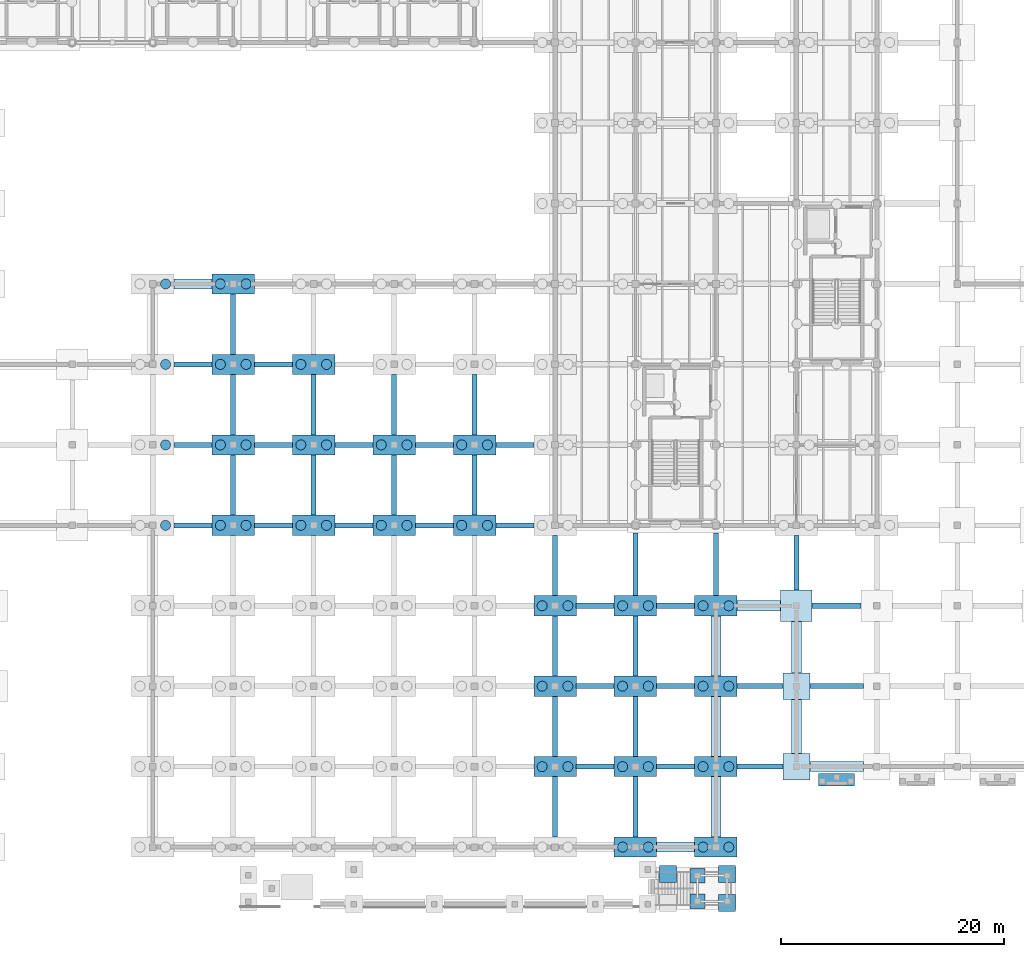
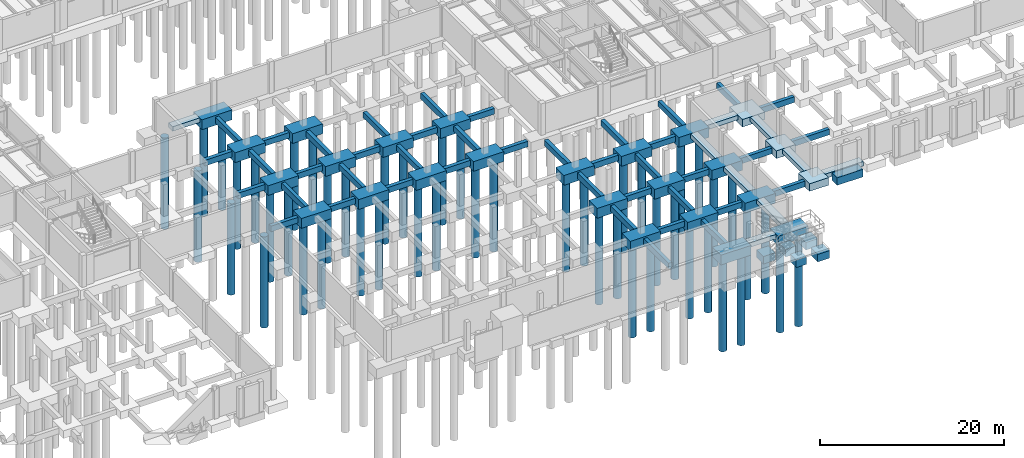
# One storey, part 4 of 46: 81 footings, 48 piles.
"""IFC4 building model written with IfcOpenShell, lengths in metres."""

from ifc_helpers import new_model, si_unit, direction, frame, origin, origin_2d, place, context, subcontext, project, spatial, rectangle, circle, extrude, material, material_profile, profile_set, type_object, element, save


model = new_model("IFC4")

# Units and contexts
model_context = context("Model", 3, precision=1e-05, world=origin(), true_north=direction((0.0, 1.0)))
body_context = subcontext(model_context, "Body", "Model", "MODEL_VIEW")
ifc_project = project(units=[si_unit("LENGTHUNIT", "METRE"), si_unit("AREAUNIT", "SQUARE_METRE"), si_unit("VOLUMEUNIT", "CUBIC_METRE"), si_unit("PLANEANGLEUNIT", "RADIAN"), si_unit("MASSUNIT", "GRAM", prefix="KILO")], contexts=[model_context])

# Site, building, storey
site_placement = place(None, origin())
site = spatial("IfcSite", under=ifc_project, at=site_placement, CompositionType="ELEMENT")
building_placement = place(site_placement, origin())
building = spatial("IfcBuilding", under=site, at=building_placement, Name="Sillqori Civic Hall", CompositionType="ELEMENT")
storey_placement = place(building_placement, frame((0.0, 0.0, -4.199951171875)))
storey = spatial("IfcBuildingStorey", under=building, at=storey_placement, Name="B01", CompositionType="ELEMENT", Elevation=-4.199951171875)

# Footings
ifc_material = material(Name="Concrete C35/45 (H35)", Category="concrete")
footing_type_1 = type_object("IfcFootingType", Name="FB-450X750", PredefinedType="FOOTING_BEAM", material=ifc_material)
for number, where, z_axis, x_axis, name in (
    (1, (68.39990234375, 36.0, -0.969970703125), (0.0, 0.0, 1.0), (1.0, 0.0, 0.0), "Seismic tie beam X 9-5"),
    (2, (68.39990234375, 43.199951171875, -0.969970703125), (0.0, 0.0, 1.0), (1.0, 0.0, 0.0), "Seismic tie beam X 9-6"),
    (3, (68.39990234375, 50.39990234375, -0.969970703125), (0.0, 0.0, 1.0), (1.0, 0.0, 0.0), "Seismic tie beam X 9-7"),
    (4, (75.60009765625, 36.0, -0.969970703125), (0.0, 0.0, 1.0), (1.0, 0.0, 0.0), "Seismic tie beam X 10-5"),
):
    element("IfcFooting", number, at=place(storey_placement, frame(where, z_axis=z_axis, x_axis=x_axis)), inside=storey, type_object=footing_type_1, Name=name, PredefinedType="FOOTING_BEAM", context=body_context, shape_type="SweptSolid", body=[
        extrude(rectangle(XDim=3.39990234375, YDim=0.449951171875, at=origin_2d()), origin(), (0.0, 0.0, 1.0), 0.75),
    ])
footing_1_placement = place(storey_placement, frame((72.0, 39.60009765625, -0.969970703125), z_axis=(0.0, 0.0, 1.0), x_axis=(1.0, 0.0, 0.0)))
element("IfcFooting", 5, at=footing_1_placement, inside=storey, type_object=footing_type_1, Name="Seismic tie beam Y 10-5", PredefinedType="FOOTING_BEAM", context=body_context, shape_type="SweptSolid", body=[
    extrude(rectangle(XDim=0.449951171875, YDim=5.39990234375, at=origin_2d()), origin(), (0.0, 0.0, 1.0), 0.75),
])
footing_2_placement = place(storey_placement, frame((75.60009765625, 43.199951171875, -0.969970703125), z_axis=(0.0, 0.0, 1.0), x_axis=(1.0, 0.0, 0.0)))
element("IfcFooting", 6, at=footing_2_placement, inside=storey, type_object=footing_type_1, Name="Seismic tie beam X 10-6", PredefinedType="FOOTING_BEAM", context=body_context, shape_type="SweptSolid", body=[
    extrude(rectangle(XDim=3.39990234375, YDim=0.449951171875, at=origin_2d()), origin(), (0.0, 0.0, 1.0), 0.75),
])
footing_3_placement = place(storey_placement, frame((72.0, 46.800048828125, -0.969970703125), z_axis=(0.0, 0.0, 1.0), x_axis=(1.0, 0.0, 0.0)))
element("IfcFooting", 7, at=footing_3_placement, inside=storey, type_object=footing_type_1, Name="Seismic tie beam Y 10-6", PredefinedType="FOOTING_BEAM", context=body_context, shape_type="SweptSolid", body=[
    extrude(rectangle(XDim=0.449951171875, YDim=5.39990234375, at=origin_2d()), origin(), (0.0, 0.0, 1.0), 0.75),
])
footing_4_placement = place(storey_placement, frame((75.60009765625, 50.39990234375, -0.969970703125), z_axis=(0.0, 0.0, 1.0), x_axis=(1.0, 0.0, 0.0)))
element("IfcFooting", 8, at=footing_4_placement, inside=storey, type_object=footing_type_1, Name="Seismic tie beam X 10-7", PredefinedType="FOOTING_BEAM", context=body_context, shape_type="SweptSolid", body=[
    extrude(rectangle(XDim=3.39990234375, YDim=0.449951171875, at=origin_2d()), origin(), (0.0, 0.0, 1.0), 0.75),
])
footing_5_placement = place(storey_placement, frame((72.0, 54.0, -0.969970703125), z_axis=(0.0, 0.0, 1.0), x_axis=(1.0, 0.0, 0.0)))
element("IfcFooting", 9, at=footing_5_placement, inside=storey, type_object=footing_type_1, Name="Seismic tie beam Y 10-7", PredefinedType="FOOTING_BEAM", context=body_context, shape_type="SweptSolid", body=[
    extrude(rectangle(XDim=0.449951171875, YDim=5.39990234375, at=origin_2d()), origin(), (0.0, 0.0, 1.0), 0.75),
])
footing_6_placement = place(storey_placement, frame((82.800048828125, 36.0, -0.969970703125), z_axis=(0.0, 0.0, 1.0), x_axis=(1.0, 0.0, 0.0)))
element("IfcFooting", 10, at=footing_6_placement, inside=storey, type_object=footing_type_1, Name="Seismic tie beam X 11-5", PredefinedType="FOOTING_BEAM", context=body_context, shape_type="SweptSolid", body=[
    extrude(rectangle(XDim=3.39990234375, YDim=0.449951171875, at=origin_2d()), origin(), (0.0, 0.0, 1.0), 0.75),
])
footing_7_placement = place(storey_placement, frame((79.199951171875, 39.60009765625, -0.969970703125), z_axis=(0.0, 0.0, 1.0), x_axis=(1.0, 0.0, 0.0)))
element("IfcFooting", 11, at=footing_7_placement, inside=storey, type_object=footing_type_1, Name="Seismic tie beam Y 11-5", PredefinedType="FOOTING_BEAM", context=body_context, shape_type="SweptSolid", body=[
    extrude(rectangle(XDim=0.449951171875, YDim=5.39990234375, at=origin_2d()), origin(), (0.0, 0.0, 1.0), 0.75),
])
footing_8_placement = place(storey_placement, frame((82.800048828125, 43.199951171875, -0.969970703125), z_axis=(0.0, 0.0, 1.0), x_axis=(1.0, 0.0, 0.0)))
element("IfcFooting", 12, at=footing_8_placement, inside=storey, type_object=footing_type_1, Name="Seismic tie beam X 11-6", PredefinedType="FOOTING_BEAM", context=body_context, shape_type="SweptSolid", body=[
    extrude(rectangle(XDim=3.39990234375, YDim=0.449951171875, at=origin_2d()), origin(), (0.0, 0.0, 1.0), 0.75),
])
footing_9_placement = place(storey_placement, frame((79.199951171875, 46.800048828125, -0.969970703125), z_axis=(0.0, 0.0, 1.0), x_axis=(1.0, 0.0, 0.0)))
element("IfcFooting", 13, at=footing_9_placement, inside=storey, type_object=footing_type_1, Name="Seismic tie beam Y 11-6", PredefinedType="FOOTING_BEAM", context=body_context, shape_type="SweptSolid", body=[
    extrude(rectangle(XDim=0.449951171875, YDim=5.39990234375, at=origin_2d()), origin(), (0.0, 0.0, 1.0), 0.75),
])
footing_10_placement = place(storey_placement, frame((90.0, 36.0, -0.969970703125), z_axis=(0.0, 0.0, 1.0), x_axis=(1.0, 0.0, 0.0)))
element("IfcFooting", 14, at=footing_10_placement, inside=storey, type_object=footing_type_1, Name="Seismic tie beam X 12-5", PredefinedType="FOOTING_BEAM", context=body_context, shape_type="SweptSolid", body=[
    extrude(rectangle(XDim=3.39990234375, YDim=0.449951171875, at=origin_2d()), origin(), (0.0, 0.0, 1.0), 0.75),
])
footing_11_placement = place(storey_placement, frame((86.39990234375, 39.60009765625, -0.969970703125), z_axis=(0.0, 0.0, 1.0), x_axis=(1.0, 0.0, 0.0)))
element("IfcFooting", 15, at=footing_11_placement, inside=storey, type_object=footing_type_1, Name="Seismic tie beam Y 12-5", PredefinedType="FOOTING_BEAM", context=body_context, shape_type="SweptSolid", body=[
    extrude(rectangle(XDim=0.449951171875, YDim=5.39990234375, at=origin_2d()), origin(), (0.0, 0.0, 1.0), 0.75),
])
footing_12_placement = place(storey_placement, frame((90.0, 43.199951171875, -0.969970703125), z_axis=(0.0, 0.0, 1.0), x_axis=(1.0, 0.0, 0.0)))
element("IfcFooting", 16, at=footing_12_placement, inside=storey, type_object=footing_type_1, Name="Seismic tie beam X 12-6", PredefinedType="FOOTING_BEAM", context=body_context, shape_type="SweptSolid", body=[
    extrude(rectangle(XDim=3.39990234375, YDim=0.449951171875, at=origin_2d()), origin(), (0.0, 0.0, 1.0), 0.75),
])
footing_13_placement = place(storey_placement, frame((86.39990234375, 46.800048828125, -0.969970703125), z_axis=(0.0, 0.0, 1.0), x_axis=(1.0, 0.0, 0.0)))
element("IfcFooting", 17, at=footing_13_placement, inside=storey, type_object=footing_type_1, Name="Seismic tie beam Y 12-6", PredefinedType="FOOTING_BEAM", context=body_context, shape_type="SweptSolid", body=[
    extrude(rectangle(XDim=0.449951171875, YDim=5.39990234375, at=origin_2d()), origin(), (0.0, 0.0, 1.0), 0.75),
])
footing_14_placement = place(storey_placement, frame((97.199951171875, 36.0, -0.969970703125), z_axis=(0.0, 0.0, 1.0), x_axis=(1.0, 0.0, 0.0)))
element("IfcFooting", 18, at=footing_14_placement, inside=storey, type_object=footing_type_1, Name="Seismic tie beam X 13-5", PredefinedType="FOOTING_BEAM", context=body_context, shape_type="SweptSolid", body=[
    extrude(rectangle(XDim=3.39990234375, YDim=0.449951171875, at=origin_2d()), origin(), (0.0, 0.0, 1.0), 0.75),
])
footing_15_placement = place(storey_placement, frame((93.60009765625, 39.60009765625, -0.969970703125), z_axis=(0.0, 0.0, 1.0), x_axis=(1.0, 0.0, 0.0)))
element("IfcFooting", 19, at=footing_15_placement, inside=storey, type_object=footing_type_1, Name="Seismic tie beam Y 13-5", PredefinedType="FOOTING_BEAM", context=body_context, shape_type="SweptSolid", body=[
    extrude(rectangle(XDim=0.449951171875, YDim=5.39990234375, at=origin_2d()), origin(), (0.0, 0.0, 1.0), 0.75),
])
footing_16_placement = place(storey_placement, frame((97.199951171875, 43.199951171875, -0.969970703125), z_axis=(0.0, 0.0, 1.0), x_axis=(1.0, 0.0, 0.0)))
element("IfcFooting", 20, at=footing_16_placement, inside=storey, type_object=footing_type_1, Name="Seismic tie beam X 13-6", PredefinedType="FOOTING_BEAM", context=body_context, shape_type="SweptSolid", body=[
    extrude(rectangle(XDim=3.39990234375, YDim=0.449951171875, at=origin_2d()), origin(), (0.0, 0.0, 1.0), 0.75),
])
for number, where, z_axis, x_axis, name in (
    (21, (93.60009765625, 46.800048828125, -0.969970703125), (0.0, 0.0, 1.0), (1.0, 0.0, 0.0), "Seismic tie beam Y 13-6"),
    (22, (100.800048828125, 10.800048828125, -0.969970703125), (0.0, 0.0, 1.0), (1.0, 0.0, 0.0), "Seismic tie beam Y 14-1"),
):
    element("IfcFooting", number, at=place(storey_placement, frame(where, z_axis=z_axis, x_axis=x_axis)), inside=storey, type_object=footing_type_1, Name=name, PredefinedType="FOOTING_BEAM", context=body_context, shape_type="SweptSolid", body=[
        extrude(rectangle(XDim=0.449951171875, YDim=5.39990234375, at=origin_2d()), origin(), (0.0, 0.0, 1.0), 0.75),
    ])
footing_17_placement = place(storey_placement, frame((104.39990234375, 14.39990234375, -0.969970703125), z_axis=(0.0, 0.0, 1.0), x_axis=(1.0, 0.0, 0.0)))
element("IfcFooting", 23, at=footing_17_placement, inside=storey, type_object=footing_type_1, Name="Seismic tie beam X 14-2", PredefinedType="FOOTING_BEAM", context=body_context, shape_type="SweptSolid", body=[
    extrude(rectangle(XDim=3.39990234375, YDim=0.449951171875, at=origin_2d()), origin(), (0.0, 0.0, 1.0), 0.75),
])
footing_18_placement = place(storey_placement, frame((100.800048828125, 18.0, -0.969970703125), z_axis=(0.0, 0.0, 1.0), x_axis=(1.0, 0.0, 0.0)))
element("IfcFooting", 24, at=footing_18_placement, inside=storey, type_object=footing_type_1, Name="Seismic tie beam Y 14-2", PredefinedType="FOOTING_BEAM", context=body_context, shape_type="SweptSolid", body=[
    extrude(rectangle(XDim=0.449951171875, YDim=5.39990234375, at=origin_2d()), origin(), (0.0, 0.0, 1.0), 0.75),
])
footing_19_placement = place(storey_placement, frame((104.39990234375, 21.60009765625, -0.969970703125), z_axis=(0.0, 0.0, 1.0), x_axis=(1.0, 0.0, 0.0)))
element("IfcFooting", 25, at=footing_19_placement, inside=storey, type_object=footing_type_1, Name="Seismic tie beam X 14-3", PredefinedType="FOOTING_BEAM", context=body_context, shape_type="SweptSolid", body=[
    extrude(rectangle(XDim=3.39990234375, YDim=0.449951171875, at=origin_2d()), origin(), (0.0, 0.0, 1.0), 0.75),
])
footing_20_placement = place(storey_placement, frame((100.800048828125, 25.199951171875, -0.969970703125), z_axis=(0.0, 0.0, 1.0), x_axis=(1.0, 0.0, 0.0)))
element("IfcFooting", 26, at=footing_20_placement, inside=storey, type_object=footing_type_1, Name="Seismic tie beam Y 14-3", PredefinedType="FOOTING_BEAM", context=body_context, shape_type="SweptSolid", body=[
    extrude(rectangle(XDim=0.449951171875, YDim=5.39990234375, at=origin_2d()), origin(), (0.0, 0.0, 1.0), 0.75),
])
footing_21_placement = place(storey_placement, frame((104.39990234375, 28.800048828125, -0.969970703125), z_axis=(0.0, 0.0, 1.0), x_axis=(1.0, 0.0, 0.0)))
element("IfcFooting", 27, at=footing_21_placement, inside=storey, type_object=footing_type_1, Name="Seismic tie beam X 14-4", PredefinedType="FOOTING_BEAM", context=body_context, shape_type="SweptSolid", body=[
    extrude(rectangle(XDim=3.39990234375, YDim=0.449951171875, at=origin_2d()), origin(), (0.0, 0.0, 1.0), 0.75),
])
for number, where, z_axis, x_axis, name in (
    (28, (100.800048828125, 32.39990234375, -0.969970703125), (0.0, 0.0, 1.0), (1.0, 0.0, 0.0), "Seismic tie beam Y 14-4"),
    (29, (108.0, 10.800048828125, -0.969970703125), (0.0, 0.0, 1.0), (1.0, 0.0, 0.0), "Seismic tie beam Y 15-1"),
):
    element("IfcFooting", number, at=place(storey_placement, frame(where, z_axis=z_axis, x_axis=x_axis)), inside=storey, type_object=footing_type_1, Name=name, PredefinedType="FOOTING_BEAM", context=body_context, shape_type="SweptSolid", body=[
        extrude(rectangle(XDim=0.449951171875, YDim=5.39990234375, at=origin_2d()), origin(), (0.0, 0.0, 1.0), 0.75),
    ])
footing_22_placement = place(storey_placement, frame((111.60009765625, 14.39990234375, -0.969970703125), z_axis=(0.0, 0.0, 1.0), x_axis=(1.0, 0.0, 0.0)))
element("IfcFooting", 30, at=footing_22_placement, inside=storey, type_object=footing_type_1, Name="Seismic tie beam X 15-2", PredefinedType="FOOTING_BEAM", context=body_context, shape_type="SweptSolid", body=[
    extrude(rectangle(XDim=3.39990234375, YDim=0.449951171875, at=origin_2d()), origin(), (0.0, 0.0, 1.0), 0.75),
])
footing_23_placement = place(storey_placement, frame((108.0, 18.0, -0.969970703125), z_axis=(0.0, 0.0, 1.0), x_axis=(1.0, 0.0, 0.0)))
element("IfcFooting", 31, at=footing_23_placement, inside=storey, type_object=footing_type_1, Name="Seismic tie beam Y 15-2", PredefinedType="FOOTING_BEAM", context=body_context, shape_type="SweptSolid", body=[
    extrude(rectangle(XDim=0.449951171875, YDim=5.39990234375, at=origin_2d()), origin(), (0.0, 0.0, 1.0), 0.75),
])
footing_24_placement = place(storey_placement, frame((111.60009765625, 21.60009765625, -0.969970703125), z_axis=(0.0, 0.0, 1.0), x_axis=(1.0, 0.0, 0.0)))
element("IfcFooting", 32, at=footing_24_placement, inside=storey, type_object=footing_type_1, Name="Seismic tie beam X 15-3", PredefinedType="FOOTING_BEAM", context=body_context, shape_type="SweptSolid", body=[
    extrude(rectangle(XDim=3.39990234375, YDim=0.449951171875, at=origin_2d()), origin(), (0.0, 0.0, 1.0), 0.75),
])
footing_25_placement = place(storey_placement, frame((108.0, 25.199951171875, -0.969970703125), z_axis=(0.0, 0.0, 1.0), x_axis=(1.0, 0.0, 0.0)))
element("IfcFooting", 33, at=footing_25_placement, inside=storey, type_object=footing_type_1, Name="Seismic tie beam Y 15-3", PredefinedType="FOOTING_BEAM", context=body_context, shape_type="SweptSolid", body=[
    extrude(rectangle(XDim=0.449951171875, YDim=5.39990234375, at=origin_2d()), origin(), (0.0, 0.0, 1.0), 0.75),
])
footing_26_placement = place(storey_placement, frame((111.60009765625, 28.800048828125, -0.969970703125), z_axis=(0.0, 0.0, 1.0), x_axis=(1.0, 0.0, 0.0)))
element("IfcFooting", 34, at=footing_26_placement, inside=storey, type_object=footing_type_1, Name="Seismic tie beam X 15-4", PredefinedType="FOOTING_BEAM", context=body_context, shape_type="SweptSolid", body=[
    extrude(rectangle(XDim=3.39990234375, YDim=0.449951171875, at=origin_2d()), origin(), (0.0, 0.0, 1.0), 0.75),
])
footing_27_placement = place(storey_placement, frame((108.0, 32.5, -0.969970703125), z_axis=(0.0, 0.0, 1.0), x_axis=(1.0, 0.0, 0.0)))
element("IfcFooting", 35, at=footing_27_placement, inside=storey, type_object=footing_type_1, Name="Seismic tie beam Y 15-4", PredefinedType="FOOTING_BEAM", context=body_context, shape_type="SweptSolid", body=[
    extrude(rectangle(XDim=0.449951171875, YDim=5.60009765625, at=origin_2d()), origin(), (0.0, 0.0, 1.0), 0.75),
])
for number, where, z_axis, x_axis, name in (
    (36, (119.14990234375, 14.39990234375, -0.969970703125), (0.0, 0.0, 1.0), (1.0, 0.0, 0.0), "Seismic tie beam X 16-2"),
    (37, (119.14990234375, 21.60009765625, -0.969970703125), (0.0, 0.0, 1.0), (1.0, 0.0, 0.0), "Seismic tie beam X 16-3"),
):
    element("IfcFooting", number, at=place(storey_placement, frame(where, z_axis=z_axis, x_axis=x_axis)), inside=storey, type_object=footing_type_1, Name=name, PredefinedType="FOOTING_BEAM", context=body_context, shape_type="SweptSolid", body=[
        extrude(rectangle(XDim=4.10009765625, YDim=0.449951171875, at=origin_2d()), origin(), (0.0, 0.0, 1.0), 0.75),
    ])
footing_28_placement = place(storey_placement, frame((115.199951171875, 32.5, -0.969970703125), z_axis=(0.0, 0.0, 1.0), x_axis=(1.0, 0.0, 0.0)))
element("IfcFooting", 38, at=footing_28_placement, inside=storey, type_object=footing_type_1, Name="Seismic tie beam Y 16-4", PredefinedType="FOOTING_BEAM", context=body_context, shape_type="SweptSolid", body=[
    extrude(rectangle(XDim=0.449951171875, YDim=5.60009765625, at=origin_2d()), origin(), (0.0, 0.0, 1.0), 0.75),
])
footing_29_placement = place(storey_placement, frame((126.0, 21.60009765625, -0.969970703125), z_axis=(0.0, 0.0, 1.0), x_axis=(1.0, 0.0, 0.0)))
element("IfcFooting", 39, at=footing_29_placement, inside=storey, type_object=footing_type_1, Name="Seismic tie beam X 17-3", PredefinedType="FOOTING_BEAM", context=body_context, shape_type="SweptSolid", body=[
    extrude(rectangle(XDim=4.800048828125, YDim=0.449951171875, at=origin_2d()), origin(), (0.0, 0.0, 1.0), 0.75),
])
footing_30_placement = place(storey_placement, frame((126.0, 28.800048828125, -0.969970703125), z_axis=(0.0, 0.0, 1.0), x_axis=(1.0, 0.0, 0.0)))
element("IfcFooting", 40, at=footing_30_placement, inside=storey, type_object=footing_type_1, Name="Seismic tie beam X 17-4", PredefinedType="FOOTING_BEAM", context=body_context, shape_type="SweptSolid", body=[
    extrude(rectangle(XDim=4.39990234375, YDim=0.449951171875, at=origin_2d()), origin(), (0.0, 0.0, 1.0), 0.75),
])
footing_31_placement = place(storey_placement, frame((122.39990234375, 32.64990234375, -0.969970703125), z_axis=(0.0, 0.0, 1.0), x_axis=(1.0, 0.0, 0.0)))
element("IfcFooting", 41, at=footing_31_placement, inside=storey, type_object=footing_type_1, Name="Seismic tie beam Y 17-4", PredefinedType="FOOTING_BEAM", context=body_context, shape_type="SweptSolid", body=[
    extrude(rectangle(XDim=0.449951171875, YDim=4.89990234375, at=origin_2d()), origin(), (0.0, 0.0, 1.0), 0.75),
])
footing_type_2 = type_object("IfcFootingType", Name="PC-2P", PredefinedType="PILE_CAP", material=ifc_material)
for number, where, z_axis, x_axis, name in (
    (42, (72.0, 36.0, -1.30029296875), (0.0, 0.0, 1.0), (1.0, 0.0, 0.0), "Pile cap 10-5"),
    (43, (72.0, 43.199951171875, -1.30029296875), (0.0, 0.0, 1.0), (1.0, 0.0, 0.0), "Pile cap 10-6"),
    (44, (72.0, 50.39990234375, -1.30029296875), (0.0, 0.0, 1.0), (1.0, 0.0, 0.0), "Pile cap 10-7"),
    (45, (72.0, 57.60009765625, -1.30029296875), (0.0, 0.0, 1.0), (1.0, 0.0, 0.0), "Pile cap 10-8"),
    (46, (79.199951171875, 36.0, -1.30029296875), (0.0, 0.0, 1.0), (1.0, 0.0, 0.0), "Pile cap 11-5"),
    (47, (79.199951171875, 43.199951171875, -1.30029296875), (0.0, 0.0, 1.0), (1.0, 0.0, 0.0), "Pile cap 11-6"),
    (48, (79.199951171875, 50.39990234375, -1.30029296875), (0.0, 0.0, 1.0), (1.0, 0.0, 0.0), "Pile cap 11-7"),
    (49, (86.39990234375, 36.0, -1.30029296875), (0.0, 0.0, 1.0), (1.0, 0.0, 0.0), "Pile cap 12-5"),
    (50, (86.39990234375, 43.199951171875, -1.30029296875), (0.0, 0.0, 1.0), (1.0, 0.0, 0.0), "Pile cap 12-6"),
    (51, (93.60009765625, 36.0, -1.30029296875), (0.0, 0.0, 1.0), (1.0, 0.0, 0.0), "Pile cap 13-5"),
    (52, (93.60009765625, 43.199951171875, -1.30029296875), (0.0, 0.0, 1.0), (1.0, 0.0, 0.0), "Pile cap 13-6"),
    (53, (100.800048828125, 14.39990234375, -1.30029296875), (0.0, 0.0, 1.0), (1.0, 0.0, 0.0), "Pile cap 14-2"),
    (54, (100.800048828125, 21.60009765625, -1.30029296875), (0.0, 0.0, 1.0), (1.0, 0.0, 0.0), "Pile cap 14-3"),
    (55, (100.800048828125, 28.800048828125, -1.30029296875), (0.0, 0.0, 1.0), (1.0, 0.0, 0.0), "Pile cap 14-4"),
    (56, (108.0, 7.199951171875, -1.30029296875), (0.0, 0.0, 1.0), (1.0, 0.0, 0.0), "Pile cap 15-1"),
    (57, (108.0, 14.39990234375, -1.30029296875), (0.0, 0.0, 1.0), (1.0, 0.0, 0.0), "Pile cap 15-2"),
    (58, (108.0, 21.60009765625, -1.30029296875), (0.0, 0.0, 1.0), (1.0, 0.0, 0.0), "Pile cap 15-3"),
    (59, (108.0, 28.800048828125, -1.30029296875), (0.0, 0.0, 1.0), (1.0, 0.0, 0.0), "Pile cap 15-4"),
    (60, (115.199951171875, 7.199951171875, -1.30029296875), (0.0, 0.0, 1.0), (1.0, 0.0, 0.0), "Pile cap 16-1"),
    (61, (115.199951171875, 14.39990234375, -1.30029296875), (0.0, 0.0, 1.0), (1.0, 0.0, 0.0), "Pile cap 16-2"),
    (62, (115.199951171875, 21.60009765625, -1.30029296875), (0.0, 0.0, 1.0), (1.0, 0.0, 0.0), "Pile cap 16-3"),
    (63, (115.199951171875, 28.800048828125, -1.30029296875), (0.0, 0.0, 1.0), (1.0, 0.0, 0.0), "Pile cap 16-4"),
):
    element("IfcFooting", number, at=place(storey_placement, frame(where, z_axis=z_axis, x_axis=x_axis)), inside=storey, type_object=footing_type_2, Name=name, PredefinedType="PILE_CAP", context=body_context, shape_type="SweptSolid", body=[
        extrude(rectangle(XDim=3.800048828125, YDim=1.800048828125, at=origin_2d()), origin(), (0.0, 0.0, 1.0), 1.300048828125),
    ])
footing_type_3 = type_object("IfcFootingType", Name="PF-1500", PredefinedType="PAD_FOOTING", material=ifc_material)
for number, where, z_axis, x_axis, name in (
    (64, (110.89990234375, 4.800048828125, -1.219970703125), (0.0, 0.0, 1.0), (1.0, 0.0, 0.0), "Forecourt exterior stair pad footing 2"),
    (65, (116.199951171875, 2.199951171875, -1.219970703125), (0.0, 0.0, 1.0), (1.0, 0.0, 0.0), "Forecourt exterior stair pad footing 3"),
    (66, (116.199951171875, 4.800048828125, -1.219970703125), (0.0, 0.0, 1.0), (1.0, 0.0, 0.0), "Forecourt exterior stair pad footing 4"),
):
    element("IfcFooting", number, at=place(storey_placement, frame(where, z_axis=z_axis, x_axis=x_axis)), inside=storey, type_object=footing_type_3, Name=name, PredefinedType="PAD_FOOTING", context=body_context, shape_type="SweptSolid", body=[
        extrude(rectangle(XDim=1.5, YDim=1.5, at=origin_2d()), origin(), (0.0, 0.0, 1.0), 1.0),
    ])
for number, where, z_axis, x_axis, name in (
    (67, (113.550048828125, 2.35009765625, -1.219970703125), (0.0, 0.0, 1.0), (1.0, 0.0, 0.0), "Forecourt stair landing mid footing 1"),
    (68, (113.550048828125, 4.64990234375, -1.219970703125), (0.0, 0.0, 1.0), (1.0, 0.0, 0.0), "Forecourt stair landing mid footing 2"),
):
    element("IfcFooting", number, at=place(storey_placement, frame(where, z_axis=z_axis, x_axis=x_axis)), inside=storey, type_object=footing_type_3, Name=name, PredefinedType="PAD_FOOTING", context=body_context, shape_type="SweptSolid", body=[
        extrude(rectangle(XDim=1.300048828125, YDim=1.300048828125, at=origin_2d()), origin(), (0.0, 0.0, 1.0), 1.0),
    ])
footing_type_4 = type_object("IfcFootingType", Name="PF-2400", PredefinedType="PAD_FOOTING", material=ifc_material)
for number, where, z_axis, x_axis, name in (
    (69, (122.39990234375, 14.39990234375, -1.0), (0.0, 0.0, 1.0), (1.0, 0.0, 0.0), "Spread footing 17-2"),
    (70, (122.39990234375, 21.60009765625, -1.0), (0.0, 0.0, 1.0), (1.0, 0.0, 0.0), "Spread footing 17-3"),
):
    element("IfcFooting", number, at=place(storey_placement, frame(where, z_axis=z_axis, x_axis=x_axis)), inside=storey, type_object=footing_type_4, Name=name, PredefinedType="PAD_FOOTING", context=body_context, shape_type="SweptSolid", body=[
        extrude(rectangle(XDim=2.39990234375, YDim=2.39990234375, at=origin_2d()), origin(), (0.0, 0.0, 1.0), 1.0),
    ])
footing_type_5 = type_object("IfcFootingType", Name="PF-2800", PredefinedType="PAD_FOOTING", material=ifc_material)
footing_32_placement = place(storey_placement, frame((122.39990234375, 28.800048828125, -1.0), z_axis=(0.0, 0.0, 1.0), x_axis=(1.0, 0.0, 0.0)))
element("IfcFooting", 71, at=footing_32_placement, inside=storey, type_object=footing_type_5, Name="Spread footing 17-4", PredefinedType="PAD_FOOTING", context=body_context, shape_type="SweptSolid", body=[
    extrude(rectangle(XDim=2.800048828125, YDim=2.800048828125, at=origin_2d()), origin(), (0.0, 0.0, 1.0), 1.0),
])

# Piles
ifc_material_profile = material_profile(ifc_material, circle(Radius=0.449951171875, at=origin_2d()), Name="BORED PILE 900")
ifc_profile_set = profile_set([ifc_material_profile], Name="Concrete C35/45 (H35)")
pile_type = type_object("IfcPileType", Name="PILE-BORED-900", PredefinedType="BORED", material=ifc_profile_set)
for number, where, z_axis, x_axis, name in (
    (72, (65.949951171875, 36.0, -1.199951171875), (0.0, 0.0, -1.0), (1.0, 0.0, 0.0), "Bored pile FTG-PC-09-05-02"),
    (73, (65.949951171875, 43.199951171875, -1.199951171875), (0.0, 0.0, -1.0), (1.0, 0.0, 0.0), "Bored pile FTG-PC-09-06-02"),
    (74, (65.949951171875, 50.39990234375, -1.199951171875), (0.0, 0.0, -1.0), (1.0, 0.0, 0.0), "Bored pile FTG-PC-09-07-02"),
    (75, (65.949951171875, 57.60009765625, -1.199951171875), (0.0, 0.0, -1.0), (1.0, 0.0, 0.0), "Bored pile FTG-PC-09-08-02"),
    (76, (70.85009765625, 36.0, -1.199951171875), (0.0, 0.0, -1.0), (1.0, 0.0, 0.0), "Bored pile FTG-PC-10-05-01"),
    (77, (73.14990234375, 36.0, -1.199951171875), (0.0, 0.0, -1.0), (1.0, 0.0, 0.0), "Bored pile FTG-PC-10-05-02"),
    (78, (70.85009765625, 43.199951171875, -1.199951171875), (0.0, 0.0, -1.0), (1.0, 0.0, 0.0), "Bored pile FTG-PC-10-06-01"),
    (79, (73.14990234375, 43.199951171875, -1.199951171875), (0.0, 0.0, -1.0), (1.0, 0.0, 0.0), "Bored pile FTG-PC-10-06-02"),
    (80, (70.85009765625, 50.39990234375, -1.199951171875), (0.0, 0.0, -1.0), (1.0, 0.0, 0.0), "Bored pile FTG-PC-10-07-01"),
    (81, (73.14990234375, 50.39990234375, -1.199951171875), (0.0, 0.0, -1.0), (1.0, 0.0, 0.0), "Bored pile FTG-PC-10-07-02"),
    (82, (70.85009765625, 57.60009765625, -1.199951171875), (0.0, 0.0, -1.0), (1.0, 0.0, 0.0), "Bored pile FTG-PC-10-08-01"),
    (83, (73.14990234375, 57.60009765625, -1.199951171875), (0.0, 0.0, -1.0), (1.0, 0.0, 0.0), "Bored pile FTG-PC-10-08-02"),
    (84, (78.050048828125, 36.0, -1.199951171875), (0.0, 0.0, -1.0), (1.0, 0.0, 0.0), "Bored pile FTG-PC-11-05-01"),
    (85, (80.35009765625, 36.0, -1.199951171875), (0.0, 0.0, -1.0), (1.0, 0.0, 0.0), "Bored pile FTG-PC-11-05-02"),
    (86, (78.050048828125, 43.199951171875, -1.199951171875), (0.0, 0.0, -1.0), (1.0, 0.0, 0.0), "Bored pile FTG-PC-11-06-01"),
    (87, (80.35009765625, 43.199951171875, -1.199951171875), (0.0, 0.0, -1.0), (1.0, 0.0, 0.0), "Bored pile FTG-PC-11-06-02"),
    (88, (78.050048828125, 50.39990234375, -1.199951171875), (0.0, 0.0, -1.0), (1.0, 0.0, 0.0), "Bored pile FTG-PC-11-07-01"),
    (89, (80.35009765625, 50.39990234375, -1.199951171875), (0.0, 0.0, -1.0), (1.0, 0.0, 0.0), "Bored pile FTG-PC-11-07-02"),
    (90, (85.25, 36.0, -1.199951171875), (0.0, 0.0, -1.0), (1.0, 0.0, 0.0), "Bored pile FTG-PC-12-05-01"),
    (91, (87.550048828125, 36.0, -1.199951171875), (0.0, 0.0, -1.0), (1.0, 0.0, 0.0), "Bored pile FTG-PC-12-05-02"),
    (92, (85.25, 43.199951171875, -1.199951171875), (0.0, 0.0, -1.0), (1.0, 0.0, 0.0), "Bored pile FTG-PC-12-06-01"),
    (93, (87.550048828125, 43.199951171875, -1.199951171875), (0.0, 0.0, -1.0), (1.0, 0.0, 0.0), "Bored pile FTG-PC-12-06-02"),
    (94, (92.449951171875, 36.0, -1.199951171875), (0.0, 0.0, -1.0), (1.0, 0.0, 0.0), "Bored pile FTG-PC-13-05-01"),
    (95, (94.75, 36.0, -1.199951171875), (0.0, 0.0, -1.0), (1.0, 0.0, 0.0), "Bored pile FTG-PC-13-05-02"),
    (96, (92.449951171875, 43.199951171875, -1.199951171875), (0.0, 0.0, -1.0), (1.0, 0.0, 0.0), "Bored pile FTG-PC-13-06-01"),
    (97, (94.75, 43.199951171875, -1.199951171875), (0.0, 0.0, -1.0), (1.0, 0.0, 0.0), "Bored pile FTG-PC-13-06-02"),
    (98, (99.64990234375, 14.39990234375, -1.199951171875), (0.0, 0.0, -1.0), (1.0, 0.0, 0.0), "Bored pile FTG-PC-14-02-01"),
    (99, (101.949951171875, 14.39990234375, -1.199951171875), (0.0, 0.0, -1.0), (1.0, 0.0, 0.0), "Bored pile FTG-PC-14-02-02"),
    (100, (99.64990234375, 21.60009765625, -1.199951171875), (0.0, 0.0, -1.0), (1.0, 0.0, 0.0), "Bored pile FTG-PC-14-03-01"),
    (101, (101.949951171875, 21.60009765625, -1.199951171875), (0.0, 0.0, -1.0), (1.0, 0.0, 0.0), "Bored pile FTG-PC-14-03-02"),
    (102, (99.64990234375, 28.800048828125, -1.199951171875), (0.0, 0.0, -1.0), (1.0, 0.0, 0.0), "Bored pile FTG-PC-14-04-01"),
    (103, (101.949951171875, 28.800048828125, -1.199951171875), (0.0, 0.0, -1.0), (1.0, 0.0, 0.0), "Bored pile FTG-PC-14-04-02"),
    (104, (106.85009765625, 7.199951171875, -1.199951171875), (0.0, 0.0, -1.0), (1.0, 0.0, 0.0), "Bored pile FTG-PC-15-01-01"),
    (105, (109.14990234375, 7.199951171875, -1.199951171875), (0.0, 0.0, -1.0), (1.0, 0.0, 0.0), "Bored pile FTG-PC-15-01-02"),
    (106, (106.85009765625, 14.39990234375, -1.199951171875), (0.0, 0.0, -1.0), (1.0, 0.0, 0.0), "Bored pile FTG-PC-15-02-01"),
    (107, (109.14990234375, 14.39990234375, -1.199951171875), (0.0, 0.0, -1.0), (1.0, 0.0, 0.0), "Bored pile FTG-PC-15-02-02"),
    (108, (106.85009765625, 21.60009765625, -1.199951171875), (0.0, 0.0, -1.0), (1.0, 0.0, 0.0), "Bored pile FTG-PC-15-03-01"),
    (109, (109.14990234375, 21.60009765625, -1.199951171875), (0.0, 0.0, -1.0), (1.0, 0.0, 0.0), "Bored pile FTG-PC-15-03-02"),
    (110, (106.85009765625, 28.800048828125, -1.199951171875), (0.0, 0.0, -1.0), (1.0, 0.0, 0.0), "Bored pile FTG-PC-15-04-01"),
    (111, (109.14990234375, 28.800048828125, -1.199951171875), (0.0, 0.0, -1.0), (1.0, 0.0, 0.0), "Bored pile FTG-PC-15-04-02"),
    (112, (114.050048828125, 7.199951171875, -1.199951171875), (0.0, 0.0, -1.0), (1.0, 0.0, 0.0), "Bored pile FTG-PC-16-01-01"),
    (113, (116.35009765625, 7.199951171875, -1.199951171875), (0.0, 0.0, -1.0), (1.0, 0.0, 0.0), "Bored pile FTG-PC-16-01-02"),
    (114, (114.050048828125, 14.39990234375, -1.199951171875), (0.0, 0.0, -1.0), (1.0, 0.0, 0.0), "Bored pile FTG-PC-16-02-01"),
    (115, (116.35009765625, 14.39990234375, -1.199951171875), (0.0, 0.0, -1.0), (1.0, 0.0, 0.0), "Bored pile FTG-PC-16-02-02"),
    (116, (114.050048828125, 21.60009765625, -1.199951171875), (0.0, 0.0, -1.0), (1.0, 0.0, 0.0), "Bored pile FTG-PC-16-03-01"),
    (117, (116.35009765625, 21.60009765625, -1.199951171875), (0.0, 0.0, -1.0), (1.0, 0.0, 0.0), "Bored pile FTG-PC-16-03-02"),
    (118, (114.050048828125, 28.800048828125, -1.199951171875), (0.0, 0.0, -1.0), (1.0, 0.0, 0.0), "Bored pile FTG-PC-16-04-01"),
    (119, (116.35009765625, 28.800048828125, -1.199951171875), (0.0, 0.0, -1.0), (1.0, 0.0, 0.0), "Bored pile FTG-PC-16-04-02"),
):
    element("IfcPile", number, at=place(storey_placement, frame(where, z_axis=z_axis, x_axis=x_axis)), inside=storey, type_object=pile_type, Name=name, PredefinedType="BORED", context=body_context, shape_type="SweptSolid", body=[
        extrude(circle(Radius=0.449951171875, at=origin_2d()), origin(), (0.0, 0.0, 1.0), 12.10009765625),
    ])

# Footings
footing_type_6 = type_object("IfcFootingType", Name="SF-1100X650", PredefinedType="STRIP_FOOTING", material=ifc_material)
footing_33_placement = place(storey_placement, frame((126.0, 13.25, -1.0), z_axis=(0.0, 0.0, 1.0), x_axis=(1.0, 0.0, 0.0)))
element("IfcFooting", 120, at=footing_33_placement, inside=storey, type_object=footing_type_6, Name="Members Library West Entrance stoop mat footing", PredefinedType="STRIP_FOOTING", context=body_context, shape_type="SweptSolid", body=[
    extrude(rectangle(XDim=3.239990234375, YDim=1.1201171875, at=origin_2d()), origin(), (0.0, 0.0, 1.0), 1.0),
])
footing_type_7 = type_object("IfcFootingType", Name="SF-900X600", PredefinedType="STRIP_FOOTING", material=ifc_material)
for number, where, z_axis, x_axis, name in (
    (121, (68.39990234375, 57.60009765625, -0.60009765625), (0.0, 0.0, 1.0), (1.0, 0.0, 0.0), "Podium plinth strip footing N 9-7"),
    (122, (111.60009765625, 7.199951171875, -0.60009765625), (0.0, 0.0, 1.0), (1.0, 0.0, 0.0), "Podium plinth strip footing S 15-1"),
):
    element("IfcFooting", number, at=place(storey_placement, frame(where, z_axis=z_axis, x_axis=x_axis)), inside=storey, type_object=footing_type_7, Name=name, PredefinedType="STRIP_FOOTING", context=body_context, shape_type="SweptSolid", body=[
        extrude(rectangle(XDim=3.39990234375, YDim=0.89990234375, at=origin_2d()), origin(), (0.0, 0.0, 1.0), 0.60009765625),
    ])
for number, where, z_axis, x_axis, name in (
    (123, (115.199951171875, 10.800048828125, -0.60009765625), (0.0, 0.0, 1.0), (1.0, 0.0, 0.0), "Podium plinth strip footing E 15-1"),
    (124, (115.199951171875, 18.0, -0.60009765625), (0.0, 0.0, 1.0), (1.0, 0.0, 0.0), "Podium plinth strip footing E 15-2"),
    (125, (115.199951171875, 25.199951171875, -0.60009765625), (0.0, 0.0, 1.0), (1.0, 0.0, 0.0), "Podium plinth strip footing E 15-3"),
):
    element("IfcFooting", number, at=place(storey_placement, frame(where, z_axis=z_axis, x_axis=x_axis)), inside=storey, type_object=footing_type_7, Name=name, PredefinedType="STRIP_FOOTING", context=body_context, shape_type="SweptSolid", body=[
        extrude(rectangle(XDim=0.89990234375, YDim=5.39990234375, at=origin_2d()), origin(), (0.0, 0.0, 1.0), 0.60009765625),
    ])
footing_34_placement = place(storey_placement, frame((119.050048828125, 28.800048828125, -0.60009765625), z_axis=(0.0, 0.0, 1.0), x_axis=(1.0, 0.0, 0.0)))
element("IfcFooting", 126, at=footing_34_placement, inside=storey, type_object=footing_type_7, Name="Podium plinth strip footing S 16-4", PredefinedType="STRIP_FOOTING", context=body_context, shape_type="SweptSolid", body=[
    extrude(rectangle(XDim=3.89990234375, YDim=0.89990234375, at=origin_2d()), origin(), (0.0, 0.0, 1.0), 0.60009765625),
])
footing_35_placement = place(storey_placement, frame((126.0, 14.39990234375, -0.60009765625), z_axis=(0.0, 0.0, 1.0), x_axis=(1.0, 0.0, 0.0)))
element("IfcFooting", 127, at=footing_35_placement, inside=storey, type_object=footing_type_7, Name="Podium plinth strip footing S 17-2", PredefinedType="STRIP_FOOTING", context=body_context, shape_type="SweptSolid", body=[
    extrude(rectangle(XDim=4.800048828125, YDim=0.89990234375, at=origin_2d()), origin(), (0.0, 0.0, 1.0), 0.60009765625),
])
footing_36_placement = place(storey_placement, frame((122.39990234375, 18.0, -0.60009765625), z_axis=(0.0, 0.0, 1.0), x_axis=(1.0, 0.0, 0.0)))
element("IfcFooting", 128, at=footing_36_placement, inside=storey, type_object=footing_type_7, Name="Podium plinth strip footing W 17-2", PredefinedType="STRIP_FOOTING", context=body_context, shape_type="SweptSolid", body=[
    extrude(rectangle(XDim=0.89990234375, YDim=4.800048828125, at=origin_2d()), origin(), (0.0, 0.0, 1.0), 0.60009765625),
])
footing_37_placement = place(storey_placement, frame((122.39990234375, 25.10009765625, -0.60009765625), z_axis=(0.0, 0.0, 1.0), x_axis=(1.0, 0.0, 0.0)))
element("IfcFooting", 129, at=footing_37_placement, inside=storey, type_object=footing_type_7, Name="Podium plinth strip footing W 17-3", PredefinedType="STRIP_FOOTING", context=body_context, shape_type="SweptSolid", body=[
    extrude(rectangle(XDim=0.89990234375, YDim=4.60009765625, at=origin_2d()), origin(), (0.0, 0.0, 1.0), 0.60009765625),
])

save(model, "model.ifc")
